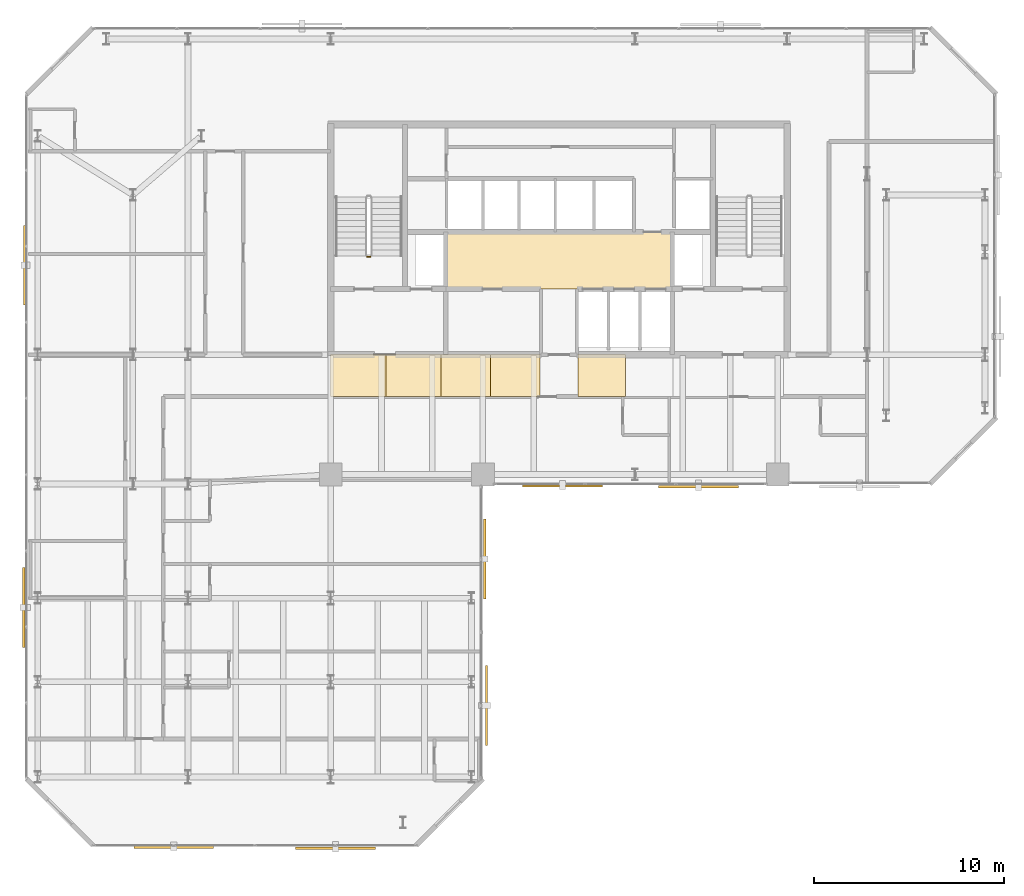
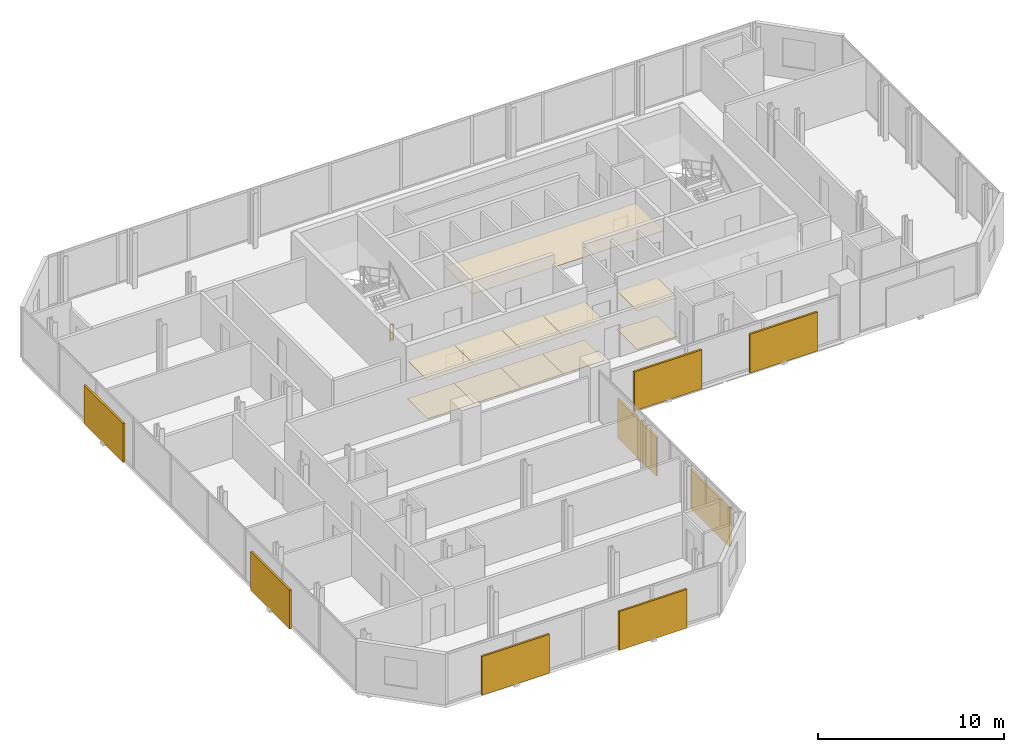
# One storey, part 31 of 32: 11 coverings, 8 shading devices, 1 railing.
"""IFC4 building model written with IfcOpenShell, lengths in metres."""

from ifc_helpers import new_model, si_unit, direction, frame, origin, origin_2d, place, context, subcontext, project, spatial, polyline, rectangle, circle, outline, extrude, material, layer, layer_set, type_object, element, save


model = new_model("IFC4")

# Units and contexts
model_context = context("Model", 3, precision=1e-05, world=origin(), true_north=direction((0.0, 1.0)))
body_context = subcontext(model_context, "Body", "Model", "MODEL_VIEW")
ifc_project = project(units=[si_unit("LENGTHUNIT", "METRE"), si_unit("AREAUNIT", "SQUARE_METRE"), si_unit("VOLUMEUNIT", "CUBIC_METRE"), si_unit("PLANEANGLEUNIT", "RADIAN"), si_unit("MASSUNIT", "GRAM", prefix="KILO")], contexts=[model_context])

# Site, building, storey
site_placement = place(None, origin())
site = spatial("IfcSite", under=ifc_project, at=site_placement, CompositionType="ELEMENT")
building_placement = place(site_placement, origin())
building = spatial("IfcBuilding", under=site, at=building_placement, Name="Catumbela Crestline Tower", CompositionType="ELEMENT")
storey_placement = place(building_placement, frame((0.0, 0.0, 122.4)))
storey = spatial("IfcBuildingStorey", under=building, at=storey_placement, Name="L31", CompositionType="ELEMENT", Elevation=122.4)

# Coverings
ifc_material_1 = material(Name="Mineral-fibre acoustic ceiling")
ifc_layer_1 = layer(ifc_material_1, 0.03, Name="Mineral-fibre acoustic ceiling")
ifc_layer_set_1 = layer_set([ifc_layer_1], Name="Mineral-fibre acoustic ceiling")
covering_type_1 = type_object("IfcCoveringType", Name="CC-AC", PredefinedType="CEILING", material=ifc_layer_set_1)
covering_1_placement = place(storey_placement, frame((0.0, 0.0, 2.65)))
element("IfcCovering", 1, at=covering_1_placement, inside=storey, type_object=covering_type_1, Name="L31 Lift Lobby Acoustic Ceiling", PredefinedType="CEILING", context=body_context, shape_type="SweptSolid", body=[
    extrude(outline(polyline([(22.05, 34.25), (33.95, 34.25), (33.95, 37.25), (22.05, 37.25), (22.05, 34.25)])), origin(), (0.0, 0.0, 1.0), 0.03),
])
covering_2_placement = place(storey_placement, frame((0.0, 0.0, 2.52)))
element("IfcCovering", 2, at=covering_2_placement, inside=storey, type_object=covering_type_1, Name="L31 Corridor Acoustic Ceiling Bay 1", PredefinedType="CEILING", context=body_context, shape_type="SweptSolid", body=[
    extrude(outline(polyline([(16.0, 28.6), (18.9, 28.6), (18.9, 30.8), (16.0, 30.8), (16.0, 28.6)])), origin(), (0.0, 0.0, 1.0), 0.03),
])
covering_3_placement = place(storey_placement, frame((0.0, 0.0, 2.52)))
element("IfcCovering", 3, at=covering_3_placement, inside=storey, type_object=covering_type_1, Name="L31 Corridor Acoustic Ceiling Bay 2", PredefinedType="CEILING", context=body_context, shape_type="SweptSolid", body=[
    extrude(outline(polyline([(18.9, 28.6), (21.8, 28.6), (21.8, 30.8), (18.9, 30.8), (18.9, 28.6)])), origin(), (0.0, 0.0, 1.0), 0.03),
])
covering_4_placement = place(storey_placement, frame((0.0, 0.0, 2.52)))
element("IfcCovering", 4, at=covering_4_placement, inside=storey, type_object=covering_type_1, Name="L31 Corridor Acoustic Ceiling Bay 3", PredefinedType="CEILING", context=body_context, shape_type="SweptSolid", body=[
    extrude(outline(polyline([(21.8, 28.6), (24.4, 28.6), (24.4, 30.8), (21.8, 30.8), (21.8, 28.6)])), origin(), (0.0, 0.0, 1.0), 0.03),
])
covering_5_placement = place(storey_placement, frame((0.0, 0.0, 2.52)))
element("IfcCovering", 5, at=covering_5_placement, inside=storey, type_object=covering_type_1, Name="L31 Corridor Acoustic Ceiling Bay 4", PredefinedType="CEILING", context=body_context, shape_type="SweptSolid", body=[
    extrude(outline(polyline([(24.4, 28.6), (27.0, 28.6), (27.0, 30.8), (24.4, 30.8), (24.4, 28.6)])), origin(), (0.0, 0.0, 1.0), 0.03),
])
covering_6_placement = place(storey_placement, frame((0.0, 0.0, 2.52)))
element("IfcCovering", 6, at=covering_6_placement, inside=storey, type_object=covering_type_1, Name="L31 Corridor Acoustic Ceiling Bay 5", PredefinedType="CEILING", context=body_context, shape_type="SweptSolid", body=[
    extrude(outline(polyline([(29.0, 28.6), (31.5, 28.6), (31.5, 30.8), (29.0, 30.8), (29.0, 28.6)])), origin(), (0.0, 0.0, 1.0), 0.03),
])
ifc_material_2 = material(Name="Angolan grey-ochre granite", Category="masonry")
ifc_layer_2 = layer(ifc_material_2, 0.025, Name="Angolan grey-ochre granite")
ifc_layer_set_2 = layer_set([ifc_layer_2], Name="Angolan grey-ochre granite")
covering_type_2 = type_object("IfcCoveringType", Name="CF-GR", PredefinedType="FLOORING", material=ifc_layer_set_2)
covering_7_placement = place(storey_placement, origin())
element("IfcCovering", 7, at=covering_7_placement, inside=storey, type_object=covering_type_2, Name="L31 Corridor Granite Flooring Bay 1", PredefinedType="FLOORING", context=body_context, shape_type="SweptSolid", body=[
    extrude(outline(polyline([(16.0, 28.6), (18.9, 28.6), (18.9, 30.8), (16.0, 30.8), (16.0, 28.6)])), origin(), (0.0, 0.0, 1.0), 0.025),
])
covering_8_placement = place(storey_placement, origin())
element("IfcCovering", 8, at=covering_8_placement, inside=storey, type_object=covering_type_2, Name="L31 Corridor Granite Flooring Bay 2", PredefinedType="FLOORING", context=body_context, shape_type="SweptSolid", body=[
    extrude(outline(polyline([(18.9, 28.6), (21.8, 28.6), (21.8, 30.8), (18.9, 30.8), (18.9, 28.6)])), origin(), (0.0, 0.0, 1.0), 0.025),
])
covering_9_placement = place(storey_placement, origin())
element("IfcCovering", 9, at=covering_9_placement, inside=storey, type_object=covering_type_2, Name="L31 Corridor Granite Flooring Bay 3", PredefinedType="FLOORING", context=body_context, shape_type="SweptSolid", body=[
    extrude(outline(polyline([(21.8, 28.6), (24.4, 28.6), (24.4, 30.8), (21.8, 30.8), (21.8, 28.6)])), origin(), (0.0, 0.0, 1.0), 0.025),
])
covering_10_placement = place(storey_placement, origin())
element("IfcCovering", 10, at=covering_10_placement, inside=storey, type_object=covering_type_2, Name="L31 Corridor Granite Flooring Bay 4", PredefinedType="FLOORING", context=body_context, shape_type="SweptSolid", body=[
    extrude(outline(polyline([(24.4, 28.6), (27.0, 28.6), (27.0, 30.8), (24.4, 30.8), (24.4, 28.6)])), origin(), (0.0, 0.0, 1.0), 0.025),
])
covering_11_placement = place(storey_placement, origin())
element("IfcCovering", 11, at=covering_11_placement, inside=storey, type_object=covering_type_2, Name="L31 Corridor Granite Flooring Bay 5", PredefinedType="FLOORING", context=body_context, shape_type="SweptSolid", body=[
    extrude(outline(polyline([(29.0, 28.6), (31.5, 28.6), (31.5, 30.8), (29.0, 30.8), (29.0, 28.6)])), origin(), (0.0, 0.0, 1.0), 0.025),
])

# Railing
ifc_material_3 = material(Name="Stainless steel EN 1.4401", Category="steel")
railing_type = type_object("IfcRailingType", Name="RG-1100", PredefinedType="GUARDRAIL", material=ifc_material_3)
railing_placement = place(storey_placement, frame((18.09, 35.95, 0.0)))
element("IfcRailing", 12, at=railing_placement, inside=storey, type_object=railing_type, Name="L31 ST-01 stair guard 4", PredefinedType="GUARDRAIL", context=body_context, shape_type="SweptSolid", body=[
    extrude(circle(Radius=0.024, at=origin_2d()), frame((0.0, 0.0, 1.076), z_axis=(-1.0, 0.0, 0.0), x_axis=(0.0, -1.0, 0.0)), (0.0, 0.0, 1.0), 0.18),
    extrude(circle(Radius=0.0156, at=origin_2d()), frame((0.0, 0.0, 0.55), z_axis=(-1.0, 0.0, 0.0), x_axis=(0.0, -1.0, 0.0)), (0.0, 0.0, 1.0), 0.18),
    extrude(circle(Radius=0.0156, at=origin_2d()), frame((0.0, 0.0, 0.12), z_axis=(-1.0, 0.0, 0.0), x_axis=(0.0, -1.0, 0.0)), (0.0, 0.0, 1.0), 0.18),
    extrude(circle(Radius=0.021, at=origin_2d()), origin(), (0.0, 0.0, 1.0), 1.052),
    extrude(circle(Radius=0.021, at=origin_2d()), frame((-0.18, 0.0, 0.0)), (0.0, 0.0, 1.0), 1.052),
])

# Shading devices
ifc_material_4 = material(Name="Extruded terracotta ceramic", Category="masonry")
shading_device_type_1 = type_object("IfcShadingDeviceType", Name="ST-180", PredefinedType="USERDEFINED", material=ifc_material_4)
for number, where, z_axis, x_axis, name in (
    (13, (7.75, 4.901, -0.1), (0.0, 0.0, 1.0), (1.0, 0.0, 0.0), "L31 Perforated Terracotta Solar Screen 328 (180 mm)"),
    (14, (24.099, 20.05, -0.1), (0.0, 0.0, 1.0), (0.0, 1.0, 0.0), "L31 Perforated Terracotta Solar Screen 331 (180 mm)"),
    (15, (28.175, 23.901, -0.1), (0.0, 0.0, 1.0), (1.0, 0.0, 0.0), "L31 Perforated Terracotta Solar Screen 332 (180 mm)"),
    (16, (-0.099, 35.5, -0.1), (0.0, 0.0, 1.0), (0.0, -1.0, 0.0), "L31 Perforated Terracotta Solar Screen 339 (180 mm)"),
):
    element("IfcShadingDevice", number, at=place(storey_placement, frame(where, z_axis=z_axis, x_axis=x_axis)), inside=storey, type_object=shading_device_type_1, Name=name, ObjectType="SCREEN", PredefinedType="USERDEFINED", context=body_context, shape_type="SweptSolid", body=[
        extrude(rectangle(XDim=4.2, YDim=0.12, at=origin_2d()), origin(), (0.0, 0.0, 1.0), 2.55),
    ])
shading_device_type_2 = type_object("IfcShadingDeviceType", Name="ST-260", PredefinedType="USERDEFINED", material=ifc_material_4)
for number, where, z_axis, x_axis, name in (
    (17, (16.25, 4.857, -0.1), (0.0, 0.0, 1.0), (1.0, 0.0, 0.0), "L31 Perforated Terracotta Solar Screen 329 (260 mm)"),
    (18, (35.325, 23.857, -0.1), (0.0, 0.0, 1.0), (1.0, 0.0, 0.0), "L31 Perforated Terracotta Solar Screen 333 (260 mm)"),
    (19, (-0.143, 17.5, -0.1), (0.0, 0.0, 1.0), (0.0, -1.0, 0.0), "L31 Perforated Terracotta Solar Screen 340 (260 mm)"),
):
    element("IfcShadingDevice", number, at=place(storey_placement, frame(where, z_axis=z_axis, x_axis=x_axis)), inside=storey, type_object=shading_device_type_2, Name=name, ObjectType="SCREEN", PredefinedType="USERDEFINED", context=body_context, shape_type="SweptSolid", body=[
        extrude(rectangle(XDim=4.2, YDim=0.12, at=origin_2d()), origin(), (0.0, 0.0, 1.0), 2.55),
    ])
shading_device_type_3 = type_object("IfcShadingDeviceType", Name="ST-340", PredefinedType="USERDEFINED", material=ifc_material_4)
shading_device_placement = place(storey_placement, frame((24.187, 12.35, -0.1), z_axis=(0.0, 0.0, 1.0), x_axis=(0.0, 1.0, 0.0)))
element("IfcShadingDevice", 20, at=shading_device_placement, inside=storey, type_object=shading_device_type_3, Name="L31 Perforated Terracotta Solar Screen 330 (340 mm)", ObjectType="SCREEN", PredefinedType="USERDEFINED", context=body_context, shape_type="SweptSolid", body=[
    extrude(rectangle(XDim=4.2, YDim=0.12, at=origin_2d()), origin(), (0.0, 0.0, 1.0), 2.55),
])

save(model, "model.ifc")
